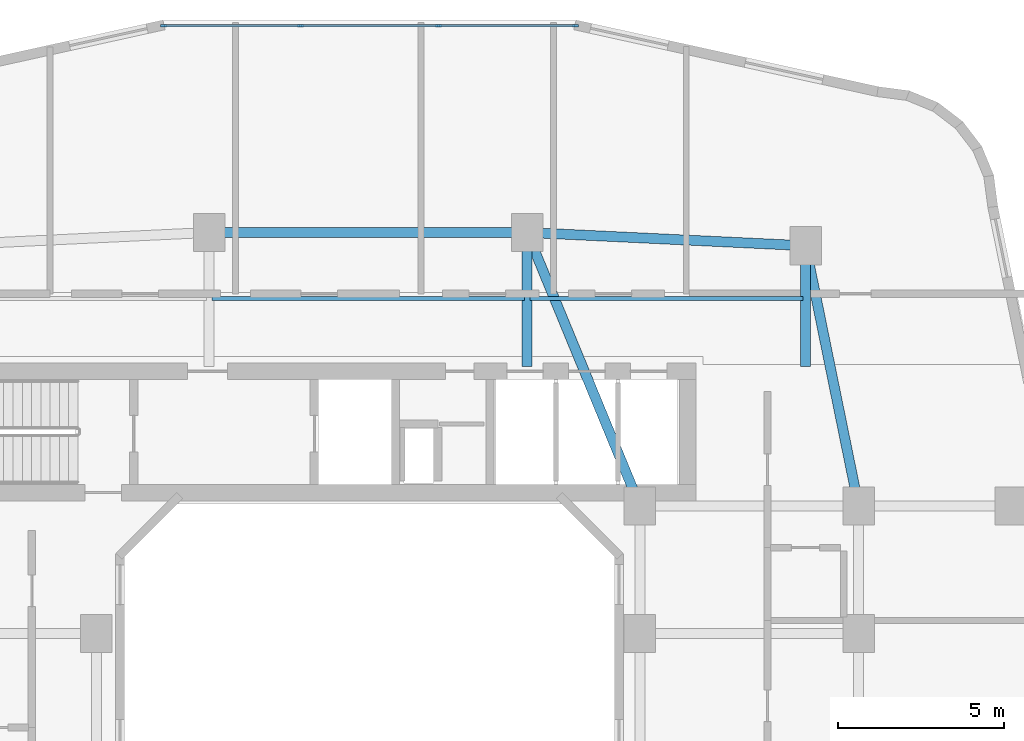
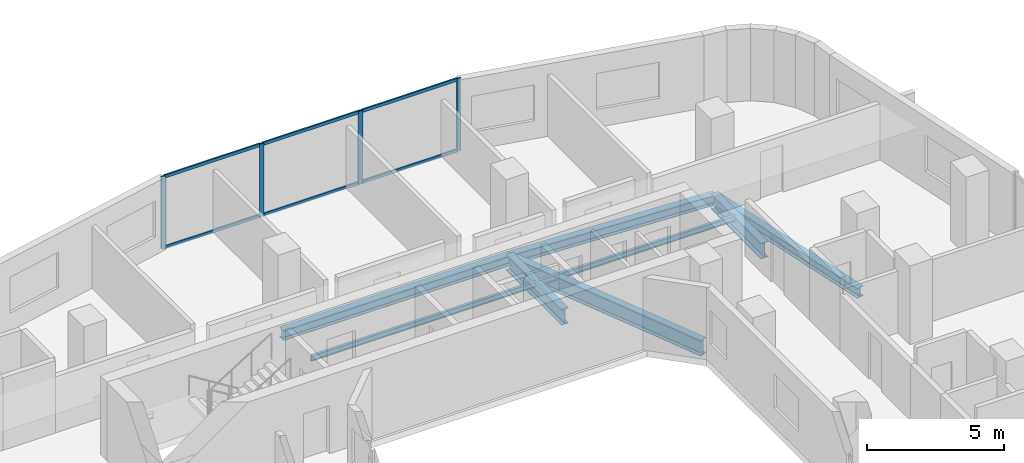
# One storey, part 7 of 27: 10 members, 8 beams, 1 element without a shape of its own.
"""IFC4 building model written with IfcOpenShell, lengths in metres."""

from ifc_helpers import new_model, si_unit, derived_unit, direction, frame, origin, origin_2d, place, context, subcontext, project, spatial, rectangle, i_section, extrude, material, layer, layer_set, material_profile, profile_set, type_object, element, aggregate, save


model = new_model("IFC4")

# Units and contexts
model_context = context("Model", 3, precision=1e-05, world=origin(), true_north=direction((0.0, 1.0)))
body_context = subcontext(model_context, "Body", "Model", "MODEL_VIEW")
ifc_project = project(units=[si_unit("LENGTHUNIT", "METRE"), si_unit("AREAUNIT", "SQUARE_METRE"), si_unit("VOLUMEUNIT", "CUBIC_METRE"), si_unit("PLANEANGLEUNIT", "RADIAN"), si_unit("MASSUNIT", "GRAM", prefix="KILO"), derived_unit("THERMALTRANSMITTANCEUNIT", [(si_unit("POWERUNIT", "WATT"), 1), (si_unit("LENGTHUNIT", "METRE"), -2), (si_unit("THERMODYNAMICTEMPERATUREUNIT", "KELVIN"), -1)])], contexts=[model_context])

# Site, building, storey
site_placement = place(None, origin())
site = spatial("IfcSite", under=ifc_project, at=site_placement, CompositionType="ELEMENT")
building_placement = place(site_placement, origin())
building = spatial("IfcBuilding", under=site, at=building_placement, Name="Kivonza Crest Hotel", CompositionType="ELEMENT")
storey_placement = place(building_placement, frame((0.0, 0.0, 76.5)))
storey = spatial("IfcBuildingStorey", under=building, at=storey_placement, Name="L20", CompositionType="ELEMENT", Elevation=76.5)

# Beams
ifc_material_1 = material(Name="Steel S355", Category="steel")
ifc_material_profile_1 = material_profile(ifc_material_1, i_section(OverallWidth=0.300048828125, OverallDepth=0.449951171875, WebThickness=0.013916015625, FlangeThickness=0.02587890625, FilletRadius=0.027099609375, at=origin_2d()), Name="HEB 450")
ifc_profile_set_1 = profile_set([ifc_material_profile_1], Name="Steel S355")
beam_type_1 = type_object("IfcBeamType", Name="BM-HEB450", PredefinedType="SPANDREL", material=ifc_profile_set_1)
beam_1_placement = place(storey_placement, frame((35.800048828125, 32.35009765625, -0.5048828125), z_axis=(-0.199730733965, 0.979850822273, 0.0), x_axis=(-0.979850822273, -0.199730733965, 0.0)))
element("IfcBeam", 1, at=beam_1_placement, inside=storey, type_object=beam_type_1, Name="Tower T1 L20 perimeter spandrel PNE-NE", PredefinedType="SPANDREL", context=body_context, shape_type="SweptSolid", body=[
    extrude(i_section(OverallWidth=0.300048828125, OverallDepth=0.449951171875, WebThickness=0.013916015625, FlangeThickness=0.02587890625, FilletRadius=0.027099609375, at=origin_2d()), origin(), (0.0, 0.0, 1.0), 8.01123046875),
])
beam_2_placement = place(storey_placement, frame((34.199951171875, 40.199951171875, -0.5048828125), z_axis=(-0.998867283688, 0.047583080799, 0.0), x_axis=(-0.047583080799, -0.998867283688, 0.0)))
element("IfcBeam", 2, at=beam_2_placement, inside=storey, type_object=beam_type_1, Name="Tower T1 L20 perimeter spandrel NE-N2", PredefinedType="SPANDREL", context=body_context, shape_type="SweptSolid", body=[
    extrude(i_section(OverallWidth=0.300048828125, OverallDepth=0.449951171875, WebThickness=0.013916015625, FlangeThickness=0.02587890625, FilletRadius=0.027099609375, at=origin_2d()), origin(), (0.0, 0.0, 1.0), 8.409423828125),
])
beam_3_placement = place(storey_placement, frame((25.800048828125, 40.60009765625, -0.5048828125), z_axis=(-1.0, 0.0, 0.0), x_axis=(0.0, -1.0, 0.0)))
element("IfcBeam", 3, at=beam_3_placement, inside=storey, type_object=beam_type_1, Name="Tower T1 L20 perimeter spandrel N2-N1", PredefinedType="SPANDREL", context=body_context, shape_type="SweptSolid", body=[
    extrude(i_section(OverallWidth=0.300048828125, OverallDepth=0.449951171875, WebThickness=0.013916015625, FlangeThickness=0.02587890625, FilletRadius=0.027099609375, at=origin_2d()), origin(), (0.0, 0.0, 1.0), 9.60009765625),
])
ifc_material_profile_2 = material_profile(ifc_material_1, i_section(OverallWidth=0.300048828125, OverallDepth=0.699951171875, WebThickness=0.01708984375, FlangeThickness=0.031982421875, FilletRadius=0.027099609375, at=origin_2d()), Name="HEB 700")
ifc_profile_set_2 = profile_set([ifc_material_profile_2], Name="Steel S355")
beam_type_2 = type_object("IfcBeamType", Name="BM-HEB700", PredefinedType="BEAM", material=ifc_profile_set_2)
beam_4_placement = place(storey_placement, frame((25.800048828125, 40.60009765625, -0.6298828125), z_axis=(0.381022260404, -0.924565864109, 0.0), x_axis=(0.924565864109, 0.381022260404, 0.0)))
element("IfcBeam", 4, at=beam_4_placement, inside=storey, type_object=beam_type_2, Name="Tower T1 L20 primary girder N1-TNE", PredefinedType="BEAM", context=body_context, shape_type="SweptSolid", body=[
    extrude(i_section(OverallWidth=0.300048828125, OverallDepth=0.699951171875, WebThickness=0.01708984375, FlangeThickness=0.031982421875, FilletRadius=0.027099609375, at=origin_2d()), origin(), (0.0, 0.0, 1.0), 8.923095703125),
])
beam_5_placement = place(storey_placement, frame((25.800048828125, 40.60009765625, -0.6298828125), z_axis=(0.0, -1.0, 0.0), x_axis=(1.0, 0.0, 0.0)))
element("IfcBeam", 5, at=beam_5_placement, inside=storey, type_object=beam_type_2, Name="Tower T1 L20 radial core girder RN2", PredefinedType="BEAM", context=body_context, shape_type="SweptSolid", body=[
    extrude(i_section(OverallWidth=0.300048828125, OverallDepth=0.699951171875, WebThickness=0.01708984375, FlangeThickness=0.031982421875, FilletRadius=0.027099609375, at=origin_2d()), origin(), (0.0, 0.0, 1.0), 4.050048828125),
])
beam_6_placement = place(storey_placement, frame((34.199951171875, 40.199951171875, -0.6298828125), z_axis=(0.0, -1.0, 0.0), x_axis=(1.0, 0.0, 0.0)))
element("IfcBeam", 6, at=beam_6_placement, inside=storey, type_object=beam_type_2, Name="Tower T1 L20 radial core girder RNE", PredefinedType="BEAM", context=body_context, shape_type="SweptSolid", body=[
    extrude(i_section(OverallWidth=0.300048828125, OverallDepth=0.699951171875, WebThickness=0.01708984375, FlangeThickness=0.031982421875, FilletRadius=0.027099609375, at=origin_2d()), origin(), (0.0, 0.0, 1.0), 3.64990234375),
])
ifc_material_profile_3 = material_profile(ifc_material_1, i_section(OverallWidth=0.1201171875, OverallDepth=0.239990234375, WebThickness=0.006103515625, FlangeThickness=0.009765625, FilletRadius=0.014892578125, at=origin_2d()), Name="IPE 240")
ifc_profile_set_3 = profile_set([ifc_material_profile_3], Name="Steel S355")
beam_type_3 = type_object("IfcBeamType", Name="BM-IPE240", PredefinedType="JOIST", material=ifc_profile_set_3)
beam_7_placement = place(storey_placement, frame((16.280029296875, 38.60009765625, -0.39990234375), z_axis=(1.0, 0.0, 0.0), x_axis=(0.0, 1.0, 0.0)))
element("IfcBeam", 7, at=beam_7_placement, inside=storey, type_object=beam_type_3, Name="Tower T1 L20 North-Mid floor joist", PredefinedType="JOIST", context=body_context, shape_type="SweptSolid", body=[
    extrude(i_section(OverallWidth=0.1201171875, OverallDepth=0.239990234375, WebThickness=0.006103515625, FlangeThickness=0.009765625, FilletRadius=0.014892578125, at=origin_2d()), origin(), (0.0, 0.0, 1.0), 9.43994140625),
])
beam_8_placement = place(storey_placement, frame((25.8798828125, 38.60009765625, -0.39990234375), z_axis=(1.0, 0.0, 0.0), x_axis=(0.0, 1.0, 0.0)))
element("IfcBeam", 8, at=beam_8_placement, inside=storey, type_object=beam_type_3, Name="Tower T1 L20 North-East floor joist", PredefinedType="JOIST", context=body_context, shape_type="SweptSolid", body=[
    extrude(i_section(OverallWidth=0.1201171875, OverallDepth=0.239990234375, WebThickness=0.006103515625, FlangeThickness=0.009765625, FilletRadius=0.014892578125, at=origin_2d()), origin(), (0.0, 0.0, 1.0), 8.240234375),
])

# Curtain wall, members
ifc_material_2 = material(Name="Anodised bronze aluminium and low-E double glazing", Category="aluminium")
ifc_layer = layer(ifc_material_2, 0.179931640625)
ifc_layer_set = layer_set([ifc_layer], Name="Anodised bronze aluminium and low-E double glazing")
curtain_wall_type = type_object("IfcCurtainWallType", Name="CW-SYS-2", PredefinedType="NOTDEFINED", material=ifc_layer_set)
curtain_wall_placement = place(storey_placement, origin())
curtain_wall = element("IfcCurtainWall", 9, at=curtain_wall_placement, inside=storey, type_object=curtain_wall_type, Name="L20 unitised curtain wall CW-T1-L20-26", PredefinedType="NOTDEFINED")
ifc_material_3 = material(Name="Anodised bronze aluminium", Category="aluminium")
ifc_material_profile_4 = material_profile(ifc_material_3, rectangle(XDim=0.06494140625, YDim=0.179931640625, at=origin_2d()), Name="CW-M 65x180")
ifc_profile_set_4 = profile_set([ifc_material_profile_4], Name="Anodised bronze aluminium")
member_type_1 = type_object("IfcMemberType", Name="CW-MUL-65x180", PredefinedType="MULLION", material=ifc_profile_set_4)
member_1_placement = place(storey_placement, frame((27.255615234375, 46.840087890625, 0.0), z_axis=(0.0, 0.0, 1.0), x_axis=(0.0, -1.0, 0.0)))
member_1 = element("IfcMember", 10, at=member_1_placement, type_object=member_type_1, Name="CW-2 mullion 1", PredefinedType="MULLION", context=body_context, shape_type="SweptSolid", body=[
    extrude(rectangle(XDim=0.06494140625, YDim=0.179931640625, at=origin_2d()), origin(), (0.0, 0.0, 1.0), 3.219970703125),
])
member_2_placement = place(storey_placement, frame((23.12255859375, 46.840087890625, 0.0), z_axis=(0.0, 0.0, 1.0), x_axis=(0.0, -1.0, 0.0)))
member_2 = element("IfcMember", 11, at=member_2_placement, type_object=member_type_1, Name="CW-2 mullion 2", PredefinedType="MULLION", context=body_context, shape_type="SweptSolid", body=[
    extrude(rectangle(XDim=0.06494140625, YDim=0.179931640625, at=origin_2d()), origin(), (0.0, 0.0, 1.0), 3.219970703125),
])
member_3_placement = place(storey_placement, frame((18.957275390625, 46.840087890625, 0.0), z_axis=(0.0, 0.0, 1.0), x_axis=(0.0, -1.0, 0.0)))
member_3 = element("IfcMember", 12, at=member_3_placement, type_object=member_type_1, Name="CW-2 mullion 3", PredefinedType="MULLION", context=body_context, shape_type="SweptSolid", body=[
    extrude(rectangle(XDim=0.06494140625, YDim=0.179931640625, at=origin_2d()), origin(), (0.0, 0.0, 1.0), 3.219970703125),
])
member_4_placement = place(storey_placement, frame((14.824462890625, 46.840087890625, 0.0), z_axis=(0.0, 0.0, 1.0), x_axis=(0.0, -1.0, 0.0)))
member_4 = element("IfcMember", 13, at=member_4_placement, type_object=member_type_1, Name="CW-2 mullion 4", PredefinedType="MULLION", context=body_context, shape_type="SweptSolid", body=[
    extrude(rectangle(XDim=0.06494140625, YDim=0.179931640625, at=origin_2d()), origin(), (0.0, 0.0, 1.0), 3.219970703125),
])
ifc_material_profile_5 = material_profile(ifc_material_3, rectangle(XDim=0.06494140625, YDim=0.139892578125, at=origin_2d()), Name="CW-T 65x140")
ifc_profile_set_5 = profile_set([ifc_material_profile_5], Name="Anodised bronze aluminium")
member_type_2 = type_object("IfcMemberType", Name="CW-TRN-65x140", PredefinedType="USERDEFINED", material=ifc_profile_set_5)
member_5_placement = place(storey_placement, frame((27.222900390625, 46.840087890625, 0.032470703125), z_axis=(-1.0, 0.0, 0.0), x_axis=(0.0, -1.0, 0.0)))
member_5 = element("IfcMember", 14, at=member_5_placement, type_object=member_type_2, Name="CW-2 transom 1.1", ObjectType="TRANSOM", PredefinedType="USERDEFINED", context=body_context, shape_type="SweptSolid", body=[
    extrude(rectangle(XDim=0.06494140625, YDim=0.139892578125, at=origin_2d()), origin(), (0.0, 0.0, 1.0), 4.067626953125),
])
member_6_placement = place(storey_placement, frame((27.222900390625, 46.840087890625, 3.1875), z_axis=(-1.0, 0.0, 0.0), x_axis=(0.0, -1.0, 0.0)))
member_6 = element("IfcMember", 15, at=member_6_placement, type_object=member_type_2, Name="CW-2 transom 1.2", ObjectType="TRANSOM", PredefinedType="USERDEFINED", context=body_context, shape_type="SweptSolid", body=[
    extrude(rectangle(XDim=0.06494140625, YDim=0.139892578125, at=origin_2d()), origin(), (0.0, 0.0, 1.0), 4.067626953125),
])
member_7_placement = place(storey_placement, frame((23.090087890625, 46.840087890625, 0.032470703125), z_axis=(-1.0, 0.0, 0.0), x_axis=(0.0, -1.0, 0.0)))
member_7 = element("IfcMember", 16, at=member_7_placement, type_object=member_type_2, Name="CW-2 transom 2.1", ObjectType="TRANSOM", PredefinedType="USERDEFINED", context=body_context, shape_type="SweptSolid", body=[
    extrude(rectangle(XDim=0.06494140625, YDim=0.139892578125, at=origin_2d()), origin(), (0.0, 0.0, 1.0), 4.100341796875),
])
member_8_placement = place(storey_placement, frame((23.090087890625, 46.840087890625, 3.1875), z_axis=(-1.0, 0.0, 0.0), x_axis=(0.0, -1.0, 0.0)))
member_8 = element("IfcMember", 17, at=member_8_placement, type_object=member_type_2, Name="CW-2 transom 2.2", ObjectType="TRANSOM", PredefinedType="USERDEFINED", context=body_context, shape_type="SweptSolid", body=[
    extrude(rectangle(XDim=0.06494140625, YDim=0.139892578125, at=origin_2d()), origin(), (0.0, 0.0, 1.0), 4.100341796875),
])
member_9_placement = place(storey_placement, frame((18.9248046875, 46.840087890625, 0.032470703125), z_axis=(-1.0, 0.0, 0.0), x_axis=(0.0, -1.0, 0.0)))
member_9 = element("IfcMember", 18, at=member_9_placement, type_object=member_type_2, Name="CW-2 transom 3.1", ObjectType="TRANSOM", PredefinedType="USERDEFINED", context=body_context, shape_type="SweptSolid", body=[
    extrude(rectangle(XDim=0.06494140625, YDim=0.139892578125, at=origin_2d()), origin(), (0.0, 0.0, 1.0), 4.06787109375),
])
member_10_placement = place(storey_placement, frame((18.9248046875, 46.840087890625, 3.1875), z_axis=(-1.0, 0.0, 0.0), x_axis=(0.0, -1.0, 0.0)))
member_10 = element("IfcMember", 19, at=member_10_placement, type_object=member_type_2, Name="CW-2 transom 3.2", ObjectType="TRANSOM", PredefinedType="USERDEFINED", context=body_context, shape_type="SweptSolid", body=[
    extrude(rectangle(XDim=0.06494140625, YDim=0.139892578125, at=origin_2d()), origin(), (0.0, 0.0, 1.0), 4.06787109375),
])
aggregate(curtain_wall, [member_1, member_2, member_3, member_4, member_5, member_6, member_7, member_8, member_9, member_10])

save(model, "model.ifc")
